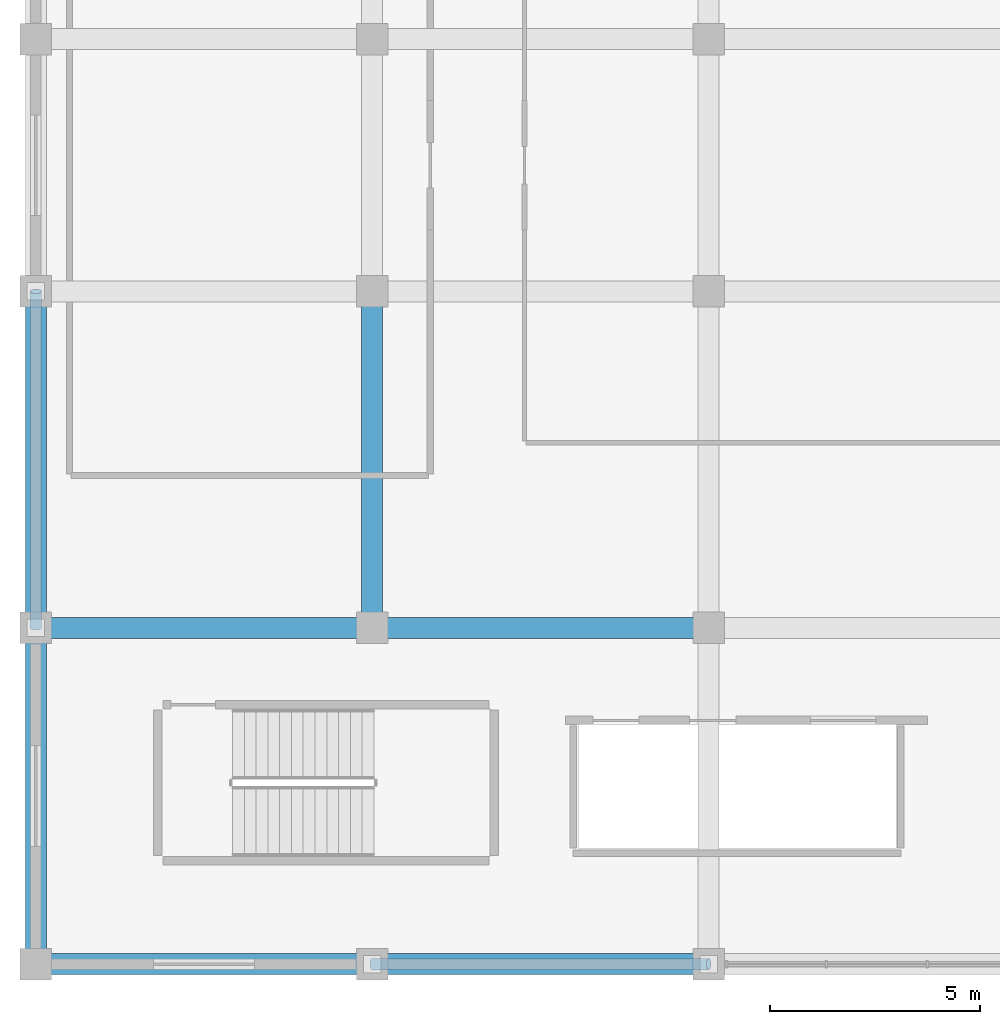
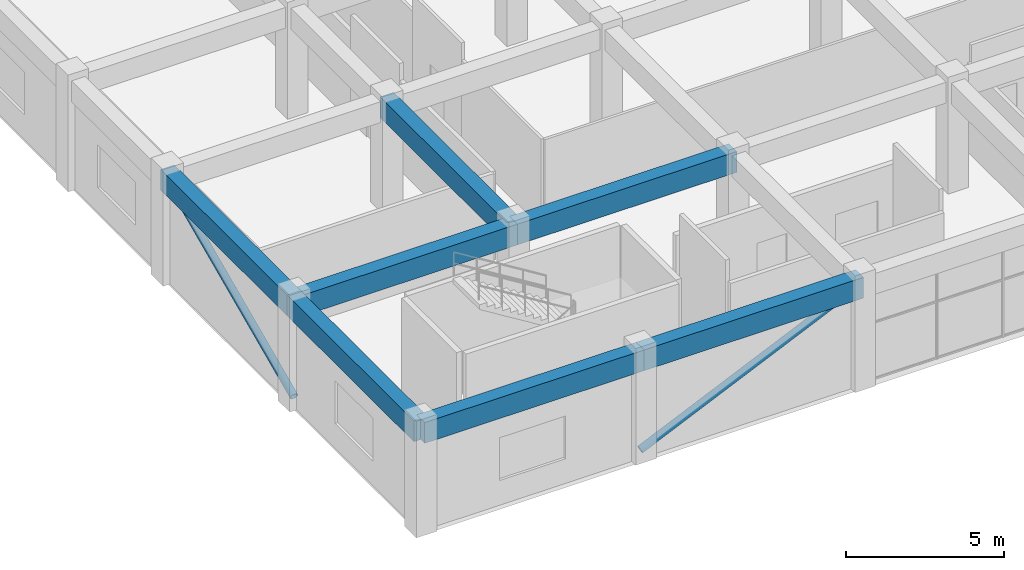
# One storey, part 5 of 53: 7 beams, 2 members.
"""IFC4 building model written with IfcOpenShell, lengths in metres."""

import ifcopenshell
import ifcopenshell.guid

model = None  # the IFC model being written
_history = None  # IfcOwnerHistory: only IFC2X3 demands one
_inside = {}  # id of a spatial element -> (the spatial element, [elements in it])
_under = {}  # id of a project, library or spatial element -> (it, [spatial elements below it])
_declared = {}  # id of a project -> (the project, [libraries it declares])
_typed = {}  # id of a type object -> (the type object, [elements of that type])
_made_of = {}  # id of a material, layer set ... -> (it, [elements and type objects made of it])


def new_model(schema):
    """Start an empty IFC model of exactly this schema.

    Asked for "IFC4X3", IfcOpenShell would pick the latest addendum, in which some entities
    have other attributes; the version numbers below select the first issue.
    IFC2X3 requires an IfcOwnerHistory on every rooted entity: one is made here for all.
    """
    global model, _history
    if schema == "IFC4X3":
        model = ifcopenshell.file(schema_version=(4, 3, 0, 0))
    else:
        model = ifcopenshell.file(schema=schema)
    _inside.clear()
    _under.clear()
    _declared.clear()
    _typed.clear()
    _made_of.clear()
    _history = None
    if model.schema == "IFC2X3":
        org = make("IfcOrganization", Name="unknown")
        user = make(
            "IfcPersonAndOrganization",
            ThePerson=make("IfcPerson", FamilyName="unknown"),
            TheOrganization=org,
        )
        app = make(
            "IfcApplication",
            ApplicationDeveloper=org,
            Version="unknown",
            ApplicationFullName="unknown",
            ApplicationIdentifier="unknown",
        )
        _history = make(
            "IfcOwnerHistory",
            OwningUser=user,
            OwningApplication=app,
            ChangeAction="ADDED",
            CreationDate=0,
        )
    return model


def make(cls, **values):
    """One entity of the class cls with the attributes given. An attribute that is None is left unset."""
    return model.create_entity(
        cls, **{name: value for name, value in values.items() if value is not None}
    )


def rooted(cls, **values):
    """An entity with a GlobalId (a new one), such as an element, a storey or a relation."""
    return make(cls, GlobalId=ifcopenshell.guid.new(), OwnerHistory=_history, **values)


def si_unit(unit_type, name, prefix=None):
    """IfcSIUnit, for example si_unit("LENGTHUNIT", "METRE", prefix="MILLI")."""
    return make("IfcSIUnit", UnitType=unit_type, Prefix=prefix, Name=name)


def assignment(units):
    """IfcUnitAssignment: the units of a project."""
    return None if units is None else make("IfcUnitAssignment", Units=units)


def point(xyz):
    """IfcCartesianPoint."""
    return None if xyz is None else make("IfcCartesianPoint", Coordinates=xyz)


def direction(xyz):
    """IfcDirection."""
    return None if xyz is None else make("IfcDirection", DirectionRatios=xyz)


def frame(location, z_axis=None, x_axis=None):
    """IfcAxis2Placement3D, a coordinate frame: its origin and axes. An axis left out is left unset."""
    return make(
        "IfcAxis2Placement3D",
        Location=point(location),
        Axis=direction(z_axis),
        RefDirection=direction(x_axis),
    )


def frame_2d(location, x_axis=None):
    """IfcAxis2Placement2D, a coordinate frame in the plane: its origin and x axis."""
    return make(
        "IfcAxis2Placement2D", Location=point(location), RefDirection=direction(x_axis)
    )


def origin():
    """The frame at (0, 0, 0) with its axes left unset."""
    return frame((0.0, 0.0, 0.0))


def origin_2d():
    """The frame at (0, 0) in the plane with its x axis left unset."""
    return frame_2d((0.0, 0.0))


def place(relative_to, where):
    """IfcLocalPlacement: puts the frame where relative to a parent placement (None: the world)."""
    return make(
        "IfcLocalPlacement", PlacementRelTo=relative_to, RelativePlacement=where
    )


def context(
    kind, dimensions, precision=None, world=None, true_north=None, identifier=None
):
    """IfcGeometricRepresentationContext, for example the 3D "Model" context."""
    return make(
        "IfcGeometricRepresentationContext",
        ContextIdentifier=identifier,
        ContextType=kind,
        CoordinateSpaceDimension=dimensions,
        Precision=precision,
        WorldCoordinateSystem=world,
        TrueNorth=true_north,
    )


def subcontext(parent, identifier, kind, view, scale=None):
    """IfcGeometricRepresentationSubContext, for example "Body" below "Model"."""
    return make(
        "IfcGeometricRepresentationSubContext",
        ContextIdentifier=identifier,
        ContextType=kind,
        ParentContext=parent,
        TargetScale=scale,
        TargetView=view,
    )


def project(units=None, contexts=None):
    """IfcProject with its units and contexts."""
    return rooted(
        "IfcProject",
        Name="project",
        RepresentationContexts=contexts,
        UnitsInContext=assignment(units),
    )


def spatial(cls, under=None, at=None, **own):
    """A site, building, storey or space (cls), placed at a placement, below another one or the project."""
    s = rooted(cls, ObjectPlacement=at, **own)
    if under is not None:
        _under.setdefault(under.id(), (under, []))[1].append(s)
    return s


def profile(cls, at=None, kind="AREA", **sizes):
    """A parametric profile (cls). Its sizes go by their IFC names, for example OverallWidth=200.0."""
    return make(cls, ProfileType=kind, Position=at, **sizes)


def rectangle(**sizes):
    """IfcRectangleProfileDef."""
    return profile("IfcRectangleProfileDef", **sizes)


def hollow_circle(**sizes):
    """IfcCircleHollowProfileDef."""
    return profile("IfcCircleHollowProfileDef", **sizes)


def extrude(swept, where, along, depth):
    """IfcExtrudedAreaSolid: the profile swept, set in the frame where, extruded along a direction by depth."""
    return make(
        "IfcExtrudedAreaSolid",
        SweptArea=swept,
        Position=where,
        ExtrudedDirection=direction(along),
        Depth=depth,
    )


def shape(context_of_items, identifier, shape_type, items):
    """IfcShapeRepresentation: the items that make up one representation, for example the "Body"."""
    return make(
        "IfcShapeRepresentation",
        ContextOfItems=context_of_items,
        RepresentationIdentifier=identifier,
        RepresentationType=shape_type,
        Items=items,
    )


def material(Name=None, Category=None):
    """IfcMaterial."""
    return make("IfcMaterial", Name=Name, Category=Category)


def material_profile(
    of_material, cross_section, Name=None, Category=None, Priority=None
):
    """IfcMaterialProfile: a cross section and its material."""
    return make(
        "IfcMaterialProfile",
        Name=Name,
        Material=of_material,
        Profile=cross_section,
        Priority=Priority,
        Category=Category,
    )


def profile_set(profiles, Name=None, composite=None):
    """IfcMaterialProfileSet."""
    return make(
        "IfcMaterialProfileSet",
        Name=Name,
        MaterialProfiles=profiles,
        CompositeProfile=composite,
    )


def made_of(thing, what):
    """Note that an element or type object is made of a material, layer set ...; save() writes the relation."""
    if what is not None:
        _made_of.setdefault(what.id(), (what, []))[1].append(thing)
    return thing


def type_object(cls, material=None, **own):
    """A type object (cls), such as IfcWallType, which elements share."""
    return made_of(rooted(cls, **own), material)


def element(
    cls,
    number,
    at=None,
    inside=None,
    cuts=None,
    type_object=None,
    material=None,
    context=None,
    identifier="Body",
    shape_type=None,
    held_by="IfcProductDefinitionShape",
    body=None,
    shapes=None,
    **own,
):
    """One element of the class cls, such as IfcWall. Its Tag is "e" and its number.

    at: its placement. inside: the storey or other place that contains it. cuts: it is an
    opening in that element (IfcRelVoidsElement). A single representation is given by context,
    identifier, shape_type and body (its items); several are given by shapes. held_by: the class
    of the entity that holds the representations. save() writes the other relations.
    """
    e = rooted(cls, Tag="e%d" % number, ObjectPlacement=at, **own)
    if body is not None:
        shapes = [shape(context, identifier, shape_type, body)]
    if shapes is not None:
        e.Representation = make(held_by, Representations=shapes)
    if inside is not None:
        _inside.setdefault(inside.id(), (inside, []))[1].append(e)
    if cuts is not None:
        rooted(
            "IfcRelVoidsElement", RelatingBuildingElement=cuts, RelatedOpeningElement=e
        )
    if type_object is not None:
        _typed.setdefault(type_object.id(), (type_object, []))[1].append(e)
    return made_of(e, material)


def aggregate(whole, parts):
    """IfcRelAggregates: a whole, such as a stair, and the parts it consists of."""
    return rooted("IfcRelAggregates", RelatingObject=whole, RelatedObjects=parts)


def save(model, path):
    """Write the relations noted so far, then the file.

    IfcRelAggregates (storeys below a building ...), IfcRelContainedInSpatialStructure (elements
    in a storey), IfcRelDefinesByType, IfcRelAssociatesMaterial and IfcRelDeclares: one each for
    every whole, place, type object, material and project.
    """
    for whole, parts in _under.values():
        aggregate(whole, parts)
    for where, things in _inside.values():
        rooted(
            "IfcRelContainedInSpatialStructure",
            RelatedElements=things,
            RelatingStructure=where,
        )
    for kind, things in _typed.values():
        rooted("IfcRelDefinesByType", RelatedObjects=things, RelatingType=kind)
    for what, things in _made_of.values():
        rooted("IfcRelAssociatesMaterial", RelatedObjects=things, RelatingMaterial=what)
    for by, libraries in _declared.values():
        rooted("IfcRelDeclares", RelatingContext=by, RelatedDefinitions=libraries)
    model.write(path)


model = new_model("IFC4")

# Units and contexts
model_context = context("Model", 3, precision=1e-05, world=origin(), true_north=direction((0.0, 1.0)))
body_context = subcontext(model_context, "Body", "Model", "MODEL_VIEW")
ifc_project = project(units=[si_unit("LENGTHUNIT", "METRE"), si_unit("AREAUNIT", "SQUARE_METRE"), si_unit("VOLUMEUNIT", "CUBIC_METRE"), si_unit("PLANEANGLEUNIT", "RADIAN"), si_unit("MASSUNIT", "GRAM", prefix="KILO")], contexts=[model_context])

# Site, building, storey
site_placement = place(None, origin())
site = spatial("IfcSite", under=ifc_project, at=site_placement, CompositionType="ELEMENT")
building_placement = place(site_placement, origin())
building = spatial("IfcBuilding", under=site, at=building_placement, Name="Kelanora Arch Commons", CompositionType="ELEMENT")
storey_placement = place(building_placement, frame((0.0, 0.0, 9.0)))
storey = spatial("IfcBuildingStorey", under=building, at=storey_placement, Name="L02", CompositionType="ELEMENT", Elevation=9.0)

# Beams
ifc_material_1 = material(Name="Concrete C40/50", Category="concrete")
ifc_material_profile_1 = material_profile(ifc_material_1, rectangle(XDim=0.5, YDim=0.800048828125, at=origin_2d()), Name="RCB500x800")
ifc_profile_set_1 = profile_set([ifc_material_profile_1], Name="Concrete C40/50")
beam_type = type_object("IfcBeamType", Name="BM-MKT-RC1", PredefinedType="BEAM", material=ifc_profile_set_1)
for number, where, z_axis, x_axis, name in (
    (1, (4.0, 4.0, 3.840087890625), (1.0, 0.0, 0.0), (0.0, 1.0, 0.0), "Market/Basement Frame Beam 001 L02"),
    (2, (4.0, 4.0, 3.840087890625), (0.0, 1.0, 0.0), (-1.0, 0.0, 0.0), "Market/Basement Frame Beam 002 L02"),
    (3, (4.0, 12.0, 3.840087890625), (1.0, 0.0, 0.0), (0.0, 1.0, 0.0), "Market/Basement Frame Beam 003 L02"),
    (4, (4.0, 12.0, 3.840087890625), (0.0, 1.0, 0.0), (-1.0, 0.0, 0.0), "Market/Basement Frame Beam 004 L02"),
    (5, (12.0, 4.0, 3.840087890625), (1.0, 0.0, 0.0), (0.0, 1.0, 0.0), "Market/Basement Frame Beam 021 L02"),
    (6, (12.0, 12.0, 3.840087890625), (1.0, 0.0, 0.0), (0.0, 1.0, 0.0), "Market/Basement Frame Beam 022 L02"),
    (7, (12.0, 12.0, 3.840087890625), (0.0, 1.0, 0.0), (-1.0, 0.0, 0.0), "Market/Basement Frame Beam 023 L02"),
):
    element("IfcBeam", number, at=place(storey_placement, frame(where, z_axis=z_axis, x_axis=x_axis)), inside=storey, type_object=beam_type, Name=name, PredefinedType="BEAM", context=body_context, shape_type="SweptSolid", body=[
        extrude(rectangle(XDim=0.5, YDim=0.800048828125, at=origin_2d()), origin(), (0.0, 0.0, 1.0), 8.0),
    ])

# Members
ifc_material_2 = material(Name="Steel S355", Category="steel")
ifc_material_profile_2 = material_profile(ifc_material_2, hollow_circle(Radius=0.136474609375, WallThickness=0.012451171875, at=origin_2d()), Name="CHS273x12.5")
ifc_profile_set_2 = profile_set([ifc_material_profile_2], Name="Steel S355")
member_type = type_object("IfcMemberType", Name="MEM-MKT-BRACE", PredefinedType="BRACE", material=ifc_profile_set_2)
for number, where, z_axis, x_axis, name in (
    (8, (12.0, 4.0, 0.25), (0.91191733938, 0.0, 0.410373934525), (0.0, 1.0, 0.0), "Market Hall Lateral Brace 01 L02"),
    (9, (4.0, 12.0, 0.25), (0.0, 0.91191733938, 0.410373934525), (-1.0, 0.0, 0.0), "Market Hall Lateral Brace 03 L02"),
):
    element("IfcMember", number, at=place(storey_placement, frame(where, z_axis=z_axis, x_axis=x_axis)), inside=storey, type_object=member_type, Name=name, PredefinedType="BRACE", context=body_context, shape_type="SweptSolid", body=[
        extrude(hollow_circle(Radius=0.136474609375, WallThickness=0.012451171875, at=origin_2d()), origin(), (0.0, 0.0, 1.0), 8.772705078125),
    ])

save(model, "model.ifc")
